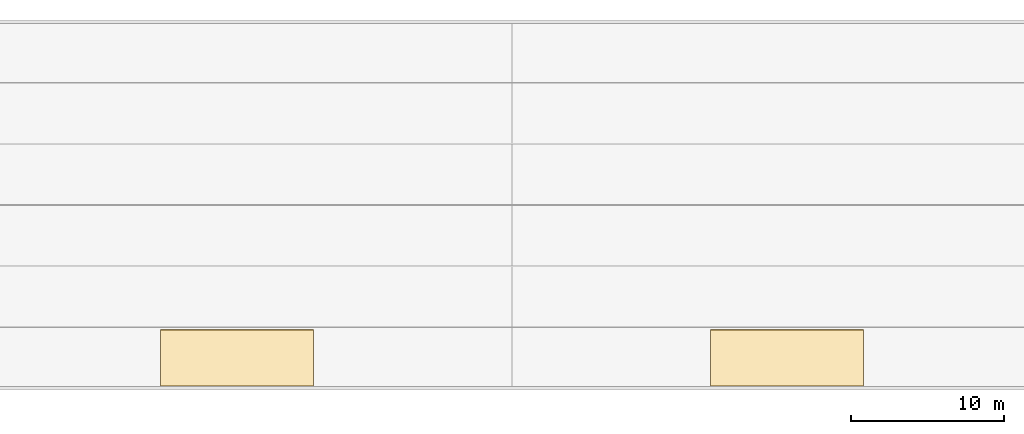
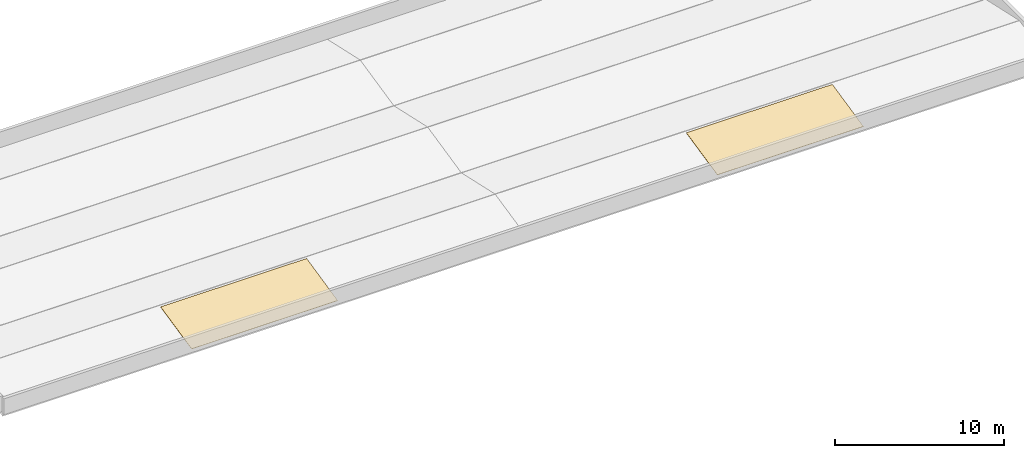
# One storey, part 2 of 2: 2 coverings.
"""IFC4 building model written with IfcOpenShell, lengths in metres."""

from ifc_helpers import new_model, si_unit, direction, frame, origin, place, context, subcontext, project, spatial, polyline, outline, extrude, material, layer, layer_set, type_object, element, save


model = new_model("IFC4")

# Units and contexts
model_context = context("Model", 3, precision=1e-05, world=origin(), true_north=direction((0.0, 1.0)))
body_context = subcontext(model_context, "Body", "Model", "MODEL_VIEW")
ifc_project = project(units=[si_unit("LENGTHUNIT", "METRE"), si_unit("AREAUNIT", "SQUARE_METRE"), si_unit("VOLUMEUNIT", "CUBIC_METRE"), si_unit("PLANEANGLEUNIT", "RADIAN"), si_unit("MASSUNIT", "GRAM", prefix="KILO")], contexts=[model_context])

# Site, building, storey
site_placement = place(None, origin())
site = spatial("IfcSite", under=ifc_project, at=site_placement, CompositionType="ELEMENT")
building_placement = place(site_placement, origin())
building = spatial("IfcBuilding", under=site, at=building_placement, Name="Girod Span Mobility Hub", CompositionType="ELEMENT")
storey_placement = place(building_placement, frame((0.0, 0.0, 74.199951171875)))
storey = spatial("IfcBuildingStorey", under=building, at=storey_placement, Name="ROOF", CompositionType="ELEMENT", Elevation=74.199951171875)

# Coverings
ifc_material = material(Name="EPDM Cool-Roof Waterproofing Membrane", Category="polymer")
ifc_layer = layer(ifc_material, 0.02490234375)
ifc_layer_set = layer_set([ifc_layer], Name="EPDM Cool-Roof Waterproofing Membrane")
covering_type = type_object("IfcCoveringType", Name="COV-RF-EPDM", PredefinedType="ROOFING", material=ifc_layer_set)
for number, where, z_axis, x_axis, name in (
    (1, (61.0, 45.14990234375, 0.05810546875), (0.0, -0.215847241699, 0.976427144364), (1.0, 0.0, 0.0), "Main Cool Roof Membrane W"),
    (2, (97.0, 45.14990234375, 0.05810546875), (0.0, -0.215847241699, 0.976427144364), (1.0, 0.0, 0.0), "Main Cool Roof Membrane E"),
):
    element("IfcCovering", number, at=place(storey_placement, frame(where, z_axis=z_axis, x_axis=x_axis)), inside=storey, type_object=covering_type, Name=name, PredefinedType="ROOFING", context=body_context, shape_type="SweptSolid", body=[
        extrude(outline(polyline([(0.0, 0.0), (10.0, 0.0), (10.0, 3.771022679473406), (0.0, 3.771022679473406), (0.0, 0.0)])), origin(), (0.0, 0.0, -1.0), 0.02490234375),
    ])

save(model, "model.ifc")
